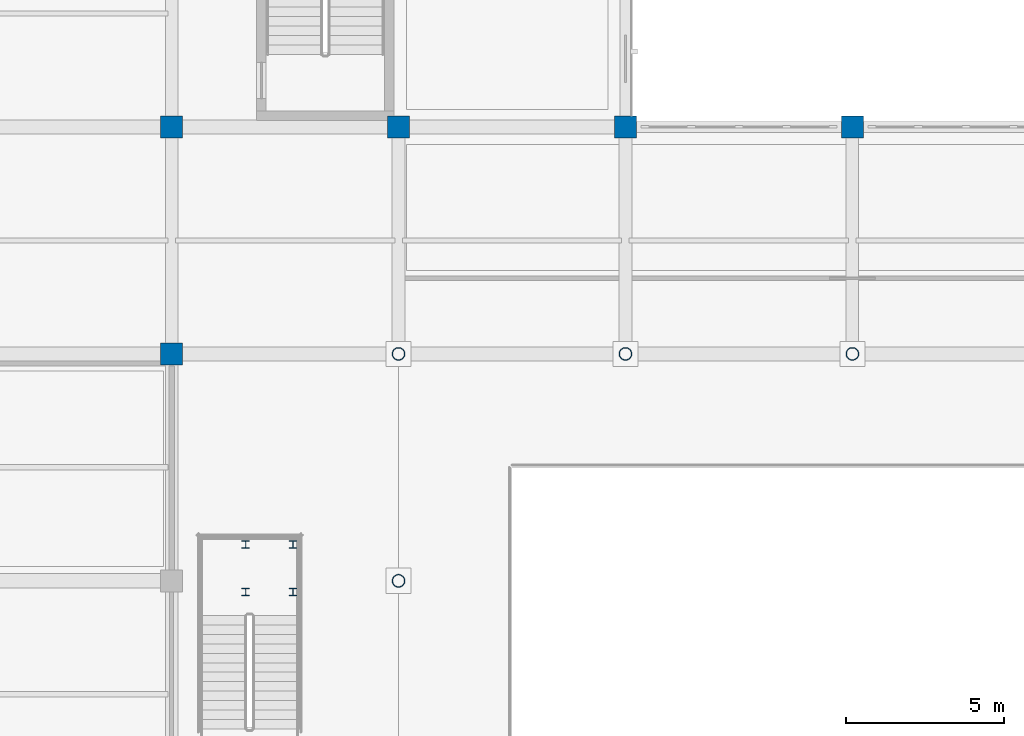
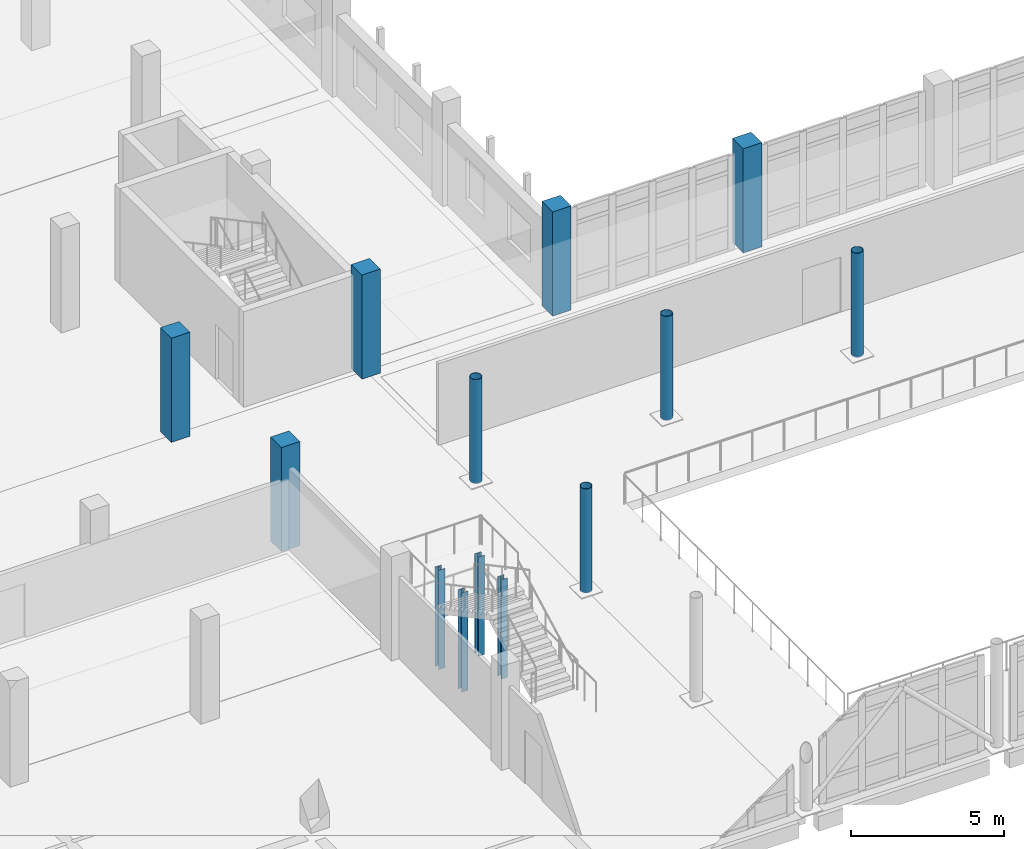
# One storey, part 4 of 62: 13 columns.
"""IFC4 building model written with IfcOpenShell, lengths in metres."""

from ifc_helpers import new_model, si_unit, direction, frame, origin, origin_2d, place, context, subcontext, project, spatial, rectangle, hollow_circle, i_section, extrude, material, material_profile, profile_set, type_object, element, save


model = new_model("IFC4")

# Units and contexts
model_context = context("Model", 3, precision=1e-05, world=origin(), true_north=direction((0.0, 1.0)))
body_context = subcontext(model_context, "Body", "Model", "MODEL_VIEW")
ifc_project = project(units=[si_unit("LENGTHUNIT", "METRE"), si_unit("AREAUNIT", "SQUARE_METRE"), si_unit("VOLUMEUNIT", "CUBIC_METRE"), si_unit("PLANEANGLEUNIT", "RADIAN"), si_unit("MASSUNIT", "GRAM", prefix="KILO")], contexts=[model_context])

# Site, building, storey
site_placement = place(None, origin())
site = spatial("IfcSite", under=ifc_project, at=site_placement, CompositionType="ELEMENT")
building_placement = place(site_placement, origin())
building = spatial("IfcBuilding", under=site, at=building_placement, Name="Valkovuoma Quantum and Materials Research Institute", CompositionType="ELEMENT")
storey_placement = place(building_placement, frame((0.0, 0.0, 8.9599609375)))
storey = spatial("IfcBuildingStorey", under=building, at=storey_placement, Name="L02", CompositionType="ELEMENT", Elevation=8.9599609375)

# Columns
ifc_material_1 = material(Name="Steel S355J2H", Category="steel")
ifc_material_profile_1 = material_profile(ifc_material_1, hollow_circle(Radius=0.203125, WallThickness=0.01611328125, at=origin_2d()), Name="Steel S355J2H")
ifc_profile_set_1 = profile_set([ifc_material_profile_1], Name="Steel S355J2H")
column_type_1 = type_object("IfcColumnType", Name="Col-C-CHS406", PredefinedType="COLUMN", material=ifc_profile_set_1)
for number, where, z_axis, x_axis, name in (
    (1, (43.199951171875, 50.39990234375, 0.0), (0.0, 0.0, 1.0), (1.0, 0.0, 0.0), "L02 column 07H"),
    (2, (43.199951171875, 57.60009765625, 0.0), (0.0, 0.0, 1.0), (1.0, 0.0, 0.0), "L02 column 07J"),
    (3, (50.39990234375, 57.60009765625, 0.0), (0.0, 0.0, 1.0), (1.0, 0.0, 0.0), "L02 column 08J"),
    (4, (57.60009765625, 57.60009765625, 0.0), (0.0, 0.0, 1.0), (1.0, 0.0, 0.0), "L02 column 09J"),
):
    element("IfcColumn", number, at=place(storey_placement, frame(where, z_axis=z_axis, x_axis=x_axis)), inside=storey, type_object=column_type_1, Name=name, PredefinedType="COLUMN", context=body_context, shape_type="SweptSolid", body=[
        extrude(hollow_circle(Radius=0.203125, WallThickness=0.01611328125, at=origin_2d()), origin(), (0.0, 0.0, 1.0), 4.16015625),
    ])
ifc_material_2 = material(Name="Concrete C40/50", Category="concrete")
ifc_material_profile_2 = material_profile(ifc_material_2, rectangle(XDim=0.699951171875, YDim=0.699951171875, at=origin_2d()), Name="Concrete C40/50")
ifc_profile_set_2 = profile_set([ifc_material_profile_2], Name="Concrete C40/50")
column_type_2 = type_object("IfcColumnType", Name="Col-C-RC700", PredefinedType="COLUMN", material=ifc_profile_set_2)
for number, where, z_axis, x_axis, name in (
    (5, (36.0, 57.60009765625, 0.0), (0.0, 0.0, 1.0), (1.0, 0.0, 0.0), "L02 column 06J"),
    (6, (36.0, 64.800048828125, 0.0), (0.0, 0.0, 1.0), (1.0, 0.0, 0.0), "L02 column 06K"),
    (7, (43.199951171875, 64.800048828125, 0.0), (0.0, 0.0, 1.0), (1.0, 0.0, 0.0), "L02 column 07K"),
    (8, (50.39990234375, 64.800048828125, 0.0), (0.0, 0.0, 1.0), (1.0, 0.0, 0.0), "L02 column 08K"),
    (9, (57.60009765625, 64.800048828125, 0.0), (0.0, 0.0, 1.0), (1.0, 0.0, 0.0), "L02 column 09K"),
):
    element("IfcColumn", number, at=place(storey_placement, frame(where, z_axis=z_axis, x_axis=x_axis)), inside=storey, type_object=column_type_2, Name=name, PredefinedType="COLUMN", context=body_context, shape_type="SweptSolid", body=[
        extrude(rectangle(XDim=0.699951171875, YDim=0.699951171875, at=origin_2d()), origin(), (0.0, 0.0, 1.0), 4.16015625),
    ])
ifc_material_3 = material(Name="Steel S355J2", Category="steel")
ifc_material_profile_3 = material_profile(ifc_material_3, i_section(OverallWidth=0.239990234375, OverallDepth=0.239990234375, WebThickness=0.010009765625, FlangeThickness=0.01708984375, FilletRadius=0.02099609375, at=origin_2d()), Name="Steel S355J2")
ifc_profile_set_3 = profile_set([ifc_material_profile_3], Name="Steel S355J2")
column_type_3 = type_object("IfcColumnType", Name="Col-C-STL240", PredefinedType="COLUMN", material=ifc_profile_set_3)
for number, where, z_axis, x_axis, name in (
    (10, (38.35009765625, 50.050048828125, -2.080078125), (0.0, 0.0, 1.0), (1.0, 0.0, 0.0), "L02 atrium stair landing column 1"),
    (11, (39.85009765625, 50.050048828125, -2.080078125), (0.0, 0.0, 1.0), (1.0, 0.0, 0.0), "L02 atrium stair landing column 2"),
    (12, (38.35009765625, 51.550048828125, -2.080078125), (0.0, 0.0, 1.0), (1.0, 0.0, 0.0), "L02 atrium stair landing column 3"),
    (13, (39.85009765625, 51.550048828125, -2.080078125), (0.0, 0.0, 1.0), (1.0, 0.0, 0.0), "L02 atrium stair landing column 4"),
):
    element("IfcColumn", number, at=place(storey_placement, frame(where, z_axis=z_axis, x_axis=x_axis)), inside=storey, type_object=column_type_3, Name=name, PredefinedType="COLUMN", context=body_context, shape_type="SweptSolid", body=[
        extrude(i_section(OverallWidth=0.239990234375, OverallDepth=0.239990234375, WebThickness=0.010009765625, FlangeThickness=0.01708984375, FilletRadius=0.02099609375, at=origin_2d()), origin(), (0.0, 0.0, 1.0), 3.960205078125),
    ])

save(model, "model.ifc")
